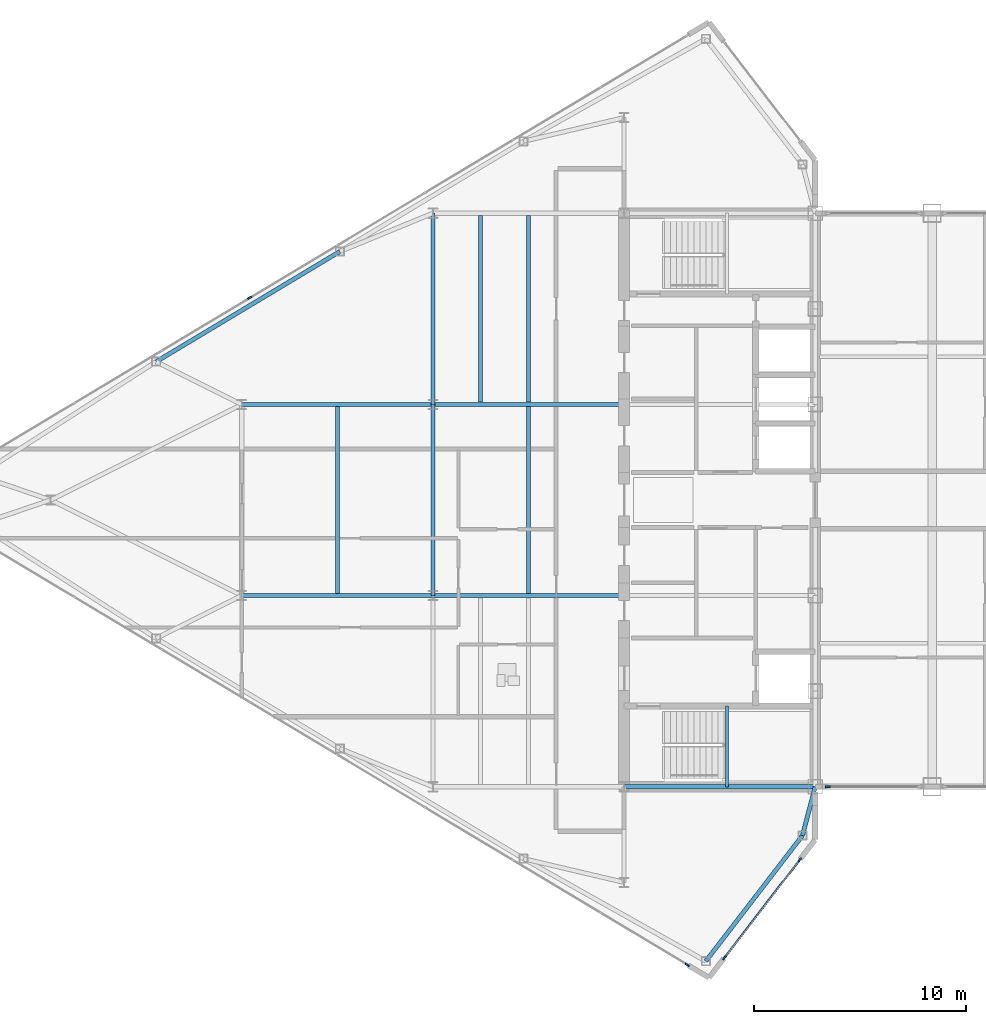
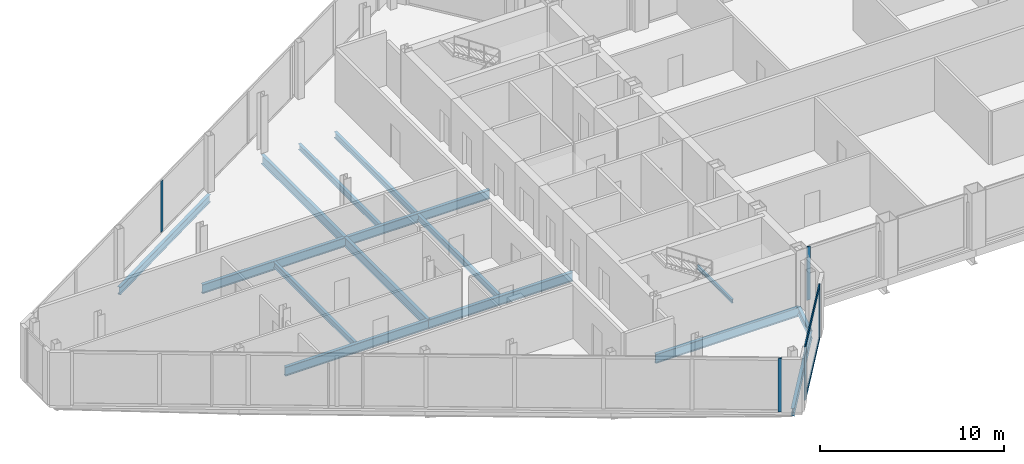
# One storey, part 9 of 29: 15 beams, 7 members, 4 elements without a shape of their own.
"""IFC4 building model written with IfcOpenShell, lengths in metres."""

from ifc_helpers import new_model, si_unit, direction, frame, origin, origin_2d, place, context, subcontext, project, spatial, rectangle, i_section, extrude, source, transform, mapped, material, layer, layer_set, material_profile, profile_set, type_object, type_shapes, element, aggregate, save


model = new_model("IFC4")

# Units and contexts
model_context = context("Model", 3, precision=1e-05, world=origin(), true_north=direction((0.0, 1.0)))
body_context = subcontext(model_context, "Body", "Model", "MODEL_VIEW")
ifc_project = project(units=[si_unit("LENGTHUNIT", "METRE"), si_unit("AREAUNIT", "SQUARE_METRE"), si_unit("VOLUMEUNIT", "CUBIC_METRE"), si_unit("PLANEANGLEUNIT", "RADIAN"), si_unit("MASSUNIT", "GRAM", prefix="KILO")], contexts=[model_context])

# Site, building, storey
site_placement = place(None, origin())
site = spatial("IfcSite", under=ifc_project, at=site_placement, CompositionType="ELEMENT")
building_placement = place(site_placement, origin())
building = spatial("IfcBuilding", under=site, at=building_placement, Name="Seokmaru Belvedere", CompositionType="ELEMENT")
storey_placement = place(building_placement, frame((0.0, 0.0, 254.39990234375)))
storey = spatial("IfcBuildingStorey", under=building, at=storey_placement, Name="L67", CompositionType="ELEMENT", Elevation=254.39990234375)

# Beams
ifc_material_1 = material(Name="Steel SM355 (355 MPa)", Category="steel")
ifc_material_profile_1 = material_profile(ifc_material_1, i_section(OverallWidth=0.199951171875, OverallDepth=0.60009765625, WebThickness=0.010986328125, FlangeThickness=0.01708984375, at=origin_2d()), Name="H-600x200x11x17")
ifc_profile_set_1 = profile_set([ifc_material_profile_1], Name="Steel SM355 (355 MPa)")
beam_type_1 = type_object("IfcBeamType", Name="Primary Floor Girder H-600", PredefinedType="BEAM", material=ifc_profile_set_1)
shared_shape_1 = source(origin(), body_context, "Body", "SweptSolid", [
    extrude(i_section(OverallWidth=0.199951171875, OverallDepth=0.60009765625, WebThickness=0.010986328125, FlangeThickness=0.01708984375, at=origin_2d()), origin(), (0.0, 0.0, 1.0), 9.0),
])
type_shapes(beam_type_1, [shared_shape_1])
for number, where, z_axis, x_axis, name in (
    (1, (-45.5, -4.5, -0.52001953125), (0.0, 1.0, 0.0), (-1.0, 0.0, 0.0), "L67 W Interior Grid Girder 2"),
    (2, (-45.5, 4.5, -0.52001953125), (0.0, 1.0, 0.0), (-1.0, 0.0, 0.0), "L67 W Interior Grid Girder 3"),
    (3, (-36.5, -13.5, -0.52001953125), (1.0, 0.0, 0.0), (0.0, 1.0, 0.0), "L67 W Core Tie Girder 1"),
    (4, (-45.5, -4.5, -0.52001953125), (1.0, 0.0, 0.0), (0.0, 1.0, 0.0), "L67 W Wing Primary Girder 2"),
    (5, (-45.5, 4.5, -0.52001953125), (1.0, 0.0, 0.0), (0.0, 1.0, 0.0), "L67 W Wing Primary Girder 3"),
    (6, (-54.5, -4.5, -0.52001953125), (1.0, 0.0, 0.0), (0.0, 1.0, 0.0), "L67 W Outer Wing Girder 1"),
    (7, (-54.5, 4.5, -0.52001953125), (1.0, 0.0, 0.0), (0.0, 1.0, 0.0), "L67 W Outer Wing Girder 2"),
):
    element("IfcBeam", number, at=place(storey_placement, frame(where, z_axis=z_axis, x_axis=x_axis)), inside=storey, type_object=beam_type_1, Name=name, PredefinedType="BEAM", context=body_context, shape_type="MappedRepresentation", body=[
        mapped(shared_shape_1, transform((0.0, 0.0, 0.0), scale=1.0)),
    ])
ifc_material_profile_2 = material_profile(ifc_material_1, i_section(OverallWidth=0.18505859375, OverallDepth=0.389892578125, WebThickness=0.008056640625, FlangeThickness=0.011962890625, at=origin_2d()), Name="H-390x185x8x12")
ifc_profile_set_2 = profile_set([ifc_material_profile_2], Name="Steel SM355 (355 MPa)")
beam_type_2 = type_object("IfcBeamType", Name="Secondary Floor Joist H-350", PredefinedType="JOIST", material=ifc_profile_set_2)
shared_shape_2 = source(origin(), body_context, "Body", "SweptSolid", [
    extrude(i_section(OverallWidth=0.18505859375, OverallDepth=0.389892578125, WebThickness=0.008056640625, FlangeThickness=0.011962890625, at=origin_2d()), origin(), (0.0, 0.0, 1.0), 8.7900390625),
])
type_shapes(beam_type_2, [shared_shape_2])
for number, where, z_axis, x_axis, name in (
    (8, (-43.25, 4.60498046875, -0.414794921875), (0.0, 1.0, 0.0), (-1.0, 0.0, 0.0), "L67 W Wing Inner Secondary Joist 2"),
    (9, (-41.0, -4.39501953125, -0.414794921875), (0.0, 1.0, 0.0), (-1.0, 0.0, 0.0), "L67 W Secondary Floor Joist 2"),
    (10, (-41.0, 4.60498046875, -0.414794921875), (0.0, 1.0, 0.0), (-1.0, 0.0, 0.0), "L67 W Secondary Floor Joist 3"),
    (11, (-50.0, -4.39501953125, -0.414794921875), (0.0, 1.0, 0.0), (-1.0, 0.0, 0.0), "L67 W Outer Bay Secondary Joist"),
):
    element("IfcBeam", number, at=place(storey_placement, frame(where, z_axis=z_axis, x_axis=x_axis)), inside=storey, type_object=beam_type_2, Name=name, PredefinedType="JOIST", context=body_context, shape_type="MappedRepresentation", body=[
        mapped(shared_shape_2, transform((0.0, 0.0, 0.0), scale=1.0)),
    ])
ifc_material_profile_3 = material_profile(ifc_material_1, i_section(OverallWidth=0.199951171875, OverallDepth=0.5, WebThickness=0.010009765625, FlangeThickness=0.01611328125, at=origin_2d()), Name="H-500x200x10x16")
ifc_profile_set_3 = profile_set([ifc_material_profile_3], Name="Steel SM355 (355 MPa)")
beam_type_3 = type_object("IfcBeamType", Name="Perimeter Spandrel Beam H-500", PredefinedType="SPANDREL", material=ifc_profile_set_3)
shared_shape_3 = source(origin(), body_context, "Body", "SweptSolid", [
    extrude(i_section(OverallWidth=0.199951171875, OverallDepth=0.5, WebThickness=0.010009765625, FlangeThickness=0.01611328125, at=origin_2d()), origin(), (0.0, 0.0, 1.0), 10.087646484375),
])
beam_1_placement = place(storey_placement, frame((-49.8798828125, 11.698974609375, -0.469970703125), z_axis=(-0.857488654804, -0.514502873542, 0.0), x_axis=(0.514502873542, -0.857488654804, 0.0)))
element("IfcBeam", 12, at=beam_1_placement, inside=storey, type_object=beam_type_3, Name="L67 W Faceted Flank Spandrel N-3", PredefinedType="SPANDREL", context=body_context, shape_type="MappedRepresentation", body=[
    mapped(shared_shape_3, transform((0.0, 0.0, 0.0), scale=1.0)),
])
shared_shape_4 = source(origin(), body_context, "Body", "SweptSolid", [
    extrude(i_section(OverallWidth=0.199951171875, OverallDepth=0.5, WebThickness=0.010009765625, FlangeThickness=0.01611328125, at=origin_2d()), origin(), (0.0, 0.0, 1.0), 7.4619140625),
])
beam_2_placement = place(storey_placement, frame((-32.649658203125, -21.71044921875, -0.469970703125), z_axis=(0.609702854945, 0.792630070507, 0.0), x_axis=(-0.792630070507, 0.609702854945, 0.0)))
element("IfcBeam", 13, at=beam_2_placement, inside=storey, type_object=beam_type_3, Name="L67 W Shoulder Chamfer Spandrel S", PredefinedType="SPANDREL", context=body_context, shape_type="MappedRepresentation", body=[
    mapped(shared_shape_4, transform((0.0, 0.0, 0.0), scale=1.0)),
])
shared_shape_5 = source(origin(), body_context, "Body", "SweptSolid", [
    extrude(i_section(OverallWidth=0.199951171875, OverallDepth=0.5, WebThickness=0.010009765625, FlangeThickness=0.01611328125, at=origin_2d()), origin(), (0.0, 0.0, 1.0), 2.373046875),
])
type_shapes(beam_type_3, [shared_shape_3, shared_shape_4, shared_shape_5])
beam_3_placement = place(storey_placement, frame((-28.10009765625, -15.7958984375, -0.469970703125), z_axis=(0.252882558842, 0.967496982648, 0.0), x_axis=(-0.967496982648, 0.252882558842, 0.0)))
element("IfcBeam", 14, at=beam_3_placement, inside=storey, type_object=beam_type_3, Name="L67 W Shoulder Spine Spandrel S", PredefinedType="SPANDREL", context=body_context, shape_type="MappedRepresentation", body=[
    mapped(shared_shape_5, transform((0.0, 0.0, 0.0), scale=1.0)),
])

# Curtain wall, members
ifc_material_2 = material(Name="Bronze Triple Insulating Glass", Category="glass")
ifc_layer = layer(ifc_material_2, 0.219970703125)
ifc_layer_set = layer_set([ifc_layer], Name="Bronze Triple Insulating Glass")
curtain_wall_type = type_object("IfcCurtainWallType", Name="Sky-Gate Bridge Panorama Curtain Wall System CW-6", PredefinedType="NOTDEFINED", material=ifc_layer_set)
curtain_wall_1_placement = place(storey_placement, origin())
curtain_wall_1 = element("IfcCurtainWall", 15, at=curtain_wall_1_placement, inside=storey, type_object=curtain_wall_type, Name="L67 Curtain Wall WF6", PredefinedType="NOTDEFINED")
ifc_material_3 = material(Name="Anodised Bronze Aluminium", Category="aluminium")
ifc_material_profile_4 = material_profile(ifc_material_3, rectangle(XDim=0.074951171875, YDim=0.179931640625, at=origin_2d()), Name="CW-T-75x180")
ifc_profile_set_4 = profile_set([ifc_material_profile_4], Name="Anodised Bronze Aluminium")
member_type_1 = type_object("IfcMemberType", Name="Bronze Unitised Transom 75x180", PredefinedType="USERDEFINED", material=ifc_profile_set_4)
shared_shape_6 = source(origin(), body_context, "Body", "SweptSolid", [
    extrude(rectangle(XDim=0.074951171875, YDim=0.179931640625, at=origin_2d()), origin(), (0.0, 0.0, 1.0), 5.74072265625),
])
type_shapes(member_type_1, [shared_shape_6])
member_1_placement = place(storey_placement, frame((-31.75, -21.525146484375, 0.03759765625), z_axis=(0.609686097287, 0.792642960465, 0.0), x_axis=(-0.792642960465, 0.609686097287, 0.0)))
member_1 = element("IfcMember", 16, at=member_1_placement, type_object=member_type_1, Name="CW:L67:WF6 Continuous Transom 1", ObjectType="TRANSOM", PredefinedType="USERDEFINED", context=body_context, shape_type="MappedRepresentation", body=[
    mapped(shared_shape_6, transform((0.0, 0.0, 0.0), scale=1.0)),
])
member_2_placement = place(storey_placement, frame((-31.75, -21.525146484375, 3.49267578125), z_axis=(0.609686097287, 0.792642960465, 0.0), x_axis=(-0.792642960465, 0.609686097287, 0.0)))
member_2 = element("IfcMember", 17, at=member_2_placement, type_object=member_type_1, Name="CW:L67:WF6 Continuous Transom 2", ObjectType="TRANSOM", PredefinedType="USERDEFINED", context=body_context, shape_type="MappedRepresentation", body=[
    mapped(shared_shape_6, transform((0.0, 0.0, 0.0), scale=1.0)),
])

# Curtain wall, member
curtain_wall_2_placement = place(storey_placement, origin())
curtain_wall_2 = element("IfcCurtainWall", 18, at=curtain_wall_2_placement, inside=storey, type_object=curtain_wall_type, Name="L67 Curtain Wall WF5", PredefinedType="NOTDEFINED")
ifc_material_profile_5 = material_profile(ifc_material_3, rectangle(XDim=0.080078125, YDim=0.219970703125, at=origin_2d()), Name="CW-M-80x220")
ifc_profile_set_5 = profile_set([ifc_material_profile_5], Name="Anodised Bronze Aluminium")
member_type_2 = type_object("IfcMemberType", Name="Bronze Unitised Mullion 80x220", PredefinedType="MULLION", material=ifc_profile_set_5)
shared_shape_7 = source(origin(), body_context, "Body", "SweptSolid", [
    extrude(rectangle(XDim=0.080078125, YDim=0.219970703125, at=origin_2d()), origin(), (0.0, 0.0, 1.0), 3.530029296875),
])
member_3_placement = place(storey_placement, frame((-33.5205078125, -21.8876953125, 0.0), z_axis=(0.0, 0.0, 1.0), x_axis=(0.514494909364, 0.85749343335, 0.0)))
member_3 = element("IfcMember", 19, at=member_3_placement, type_object=member_type_2, Name="CW:L67:WF5 Mullion 9", PredefinedType="MULLION", context=body_context, shape_type="MappedRepresentation", body=[
    mapped(shared_shape_7, transform((0.0, 0.0, 0.0), scale=1.0)),
])
aggregate(curtain_wall_2, [member_3])

# Member
member_4_placement = place(storey_placement, frame((-31.7744140625, -21.556884765625, 0.0), z_axis=(0.0, 0.0, 1.0), x_axis=(-0.792631353244, 0.609701187349, 0.0)))
member_4 = element("IfcMember", 20, at=member_4_placement, type_object=member_type_2, Name="CW:L67:WF6 Mullion 1", PredefinedType="MULLION", context=body_context, shape_type="MappedRepresentation", body=[
    mapped(shared_shape_7, transform((0.0, 0.0, 0.0), scale=1.0)),
])

member_5_placement = place(storey_placement, frame((-28.2255859375, -16.943115234375, 0.0), z_axis=(0.0, 0.0, 1.0), x_axis=(-0.792631353244, 0.609701187349, 0.0)))
member_5 = element("IfcMember", 21, at=member_5_placement, type_object=member_type_2, Name="CW:L67:WF6 Mullion 2", PredefinedType="MULLION", context=body_context, shape_type="MappedRepresentation", body=[
    mapped(shared_shape_7, transform((0.0, 0.0, 0.0), scale=1.0)),
])

aggregate(curtain_wall_1, [member_4, member_5, member_1, member_2])

# Curtain wall, member
curtain_wall_3_placement = place(storey_placement, origin())
curtain_wall_3 = element("IfcCurtainWall", 22, at=curtain_wall_3_placement, inside=storey, type_object=curtain_wall_type, Name="L67 Curtain Wall BR_S01", PredefinedType="NOTDEFINED")
member_6_placement = place(storey_placement, frame((-26.909912109375, -13.5, 0.0), z_axis=(0.0, 0.0, 1.0), x_axis=(0.0, 1.0, 0.0)))
member_6 = element("IfcMember", 23, at=member_6_placement, type_object=member_type_2, Name="CW:L67:BR_S01 Mullion 1", PredefinedType="MULLION", context=body_context, shape_type="MappedRepresentation", body=[
    mapped(shared_shape_7, transform((0.0, 0.0, 0.0), scale=1.0)),
])
aggregate(curtain_wall_3, [member_6])

curtain_wall_4_placement = place(storey_placement, origin())
curtain_wall_4 = element("IfcCurtainWall", 24, at=curtain_wall_4_placement, inside=storey, type_object=curtain_wall_type, Name="L67 Curtain Wall WF3", PredefinedType="NOTDEFINED")
shared_shape_8 = source(origin(), body_context, "Body", "SweptSolid", [
    extrude(rectangle(XDim=0.080078125, YDim=0.219970703125, at=origin_2d()), origin(), (0.0, 0.0, 1.0), 3.3798828125),
])
type_shapes(member_type_2, [shared_shape_7, shared_shape_8])
member_7_placement = place(storey_placement, frame((-54.12841796875, 9.52294921875, 0.0751953125), z_axis=(0.0, 0.0, 1.0), x_axis=(0.514494909364, -0.85749343335, 0.0)))
member_7 = element("IfcMember", 25, at=member_7_placement, type_object=member_type_2, Name="CW:L67:WF3 Mullion 6", PredefinedType="MULLION", context=body_context, shape_type="MappedRepresentation", body=[
    mapped(shared_shape_8, transform((0.0, 0.0, 0.0), scale=1.0)),
])
aggregate(curtain_wall_4, [member_7])

# Beam
ifc_material_profile_6 = material_profile(ifc_material_1, i_section(OverallWidth=0.125, OverallDepth=0.25, WebThickness=0.006103515625, FlangeThickness=0.009033203125, at=origin_2d()), Name="H-250x125x6x9")
ifc_profile_set_6 = profile_set([ifc_material_profile_6], Name="Steel SM355 (355 MPa)")
beam_type_4 = type_object("IfcBeamType", Name="Stair Mid-Landing Support Beam H-250", PredefinedType="JOIST", material=ifc_profile_set_6)
shared_shape_9 = source(origin(), body_context, "Body", "SweptSolid", [
    extrude(i_section(OverallWidth=0.125, OverallDepth=0.25, WebThickness=0.006103515625, FlangeThickness=0.009033203125, at=origin_2d()), origin(), (0.0, 0.0, 1.0), 3.800048828125),
])
type_shapes(beam_type_4, [shared_shape_9])
beam_4_placement = place(storey_placement, frame((-31.64990234375, -13.5, 1.550048828125), z_axis=(0.0, 1.0, 0.0), x_axis=(-1.0, 0.0, 0.0)))
element("IfcBeam", 26, at=beam_4_placement, inside=storey, type_object=beam_type_4, Name="L67 Stair ST-W1 Mid-Landing Support Beam 1", PredefinedType="JOIST", context=body_context, shape_type="MappedRepresentation", body=[
    mapped(shared_shape_9, transform((0.0, 0.0, 0.0), scale=1.0)),
])

save(model, "model.ifc")
